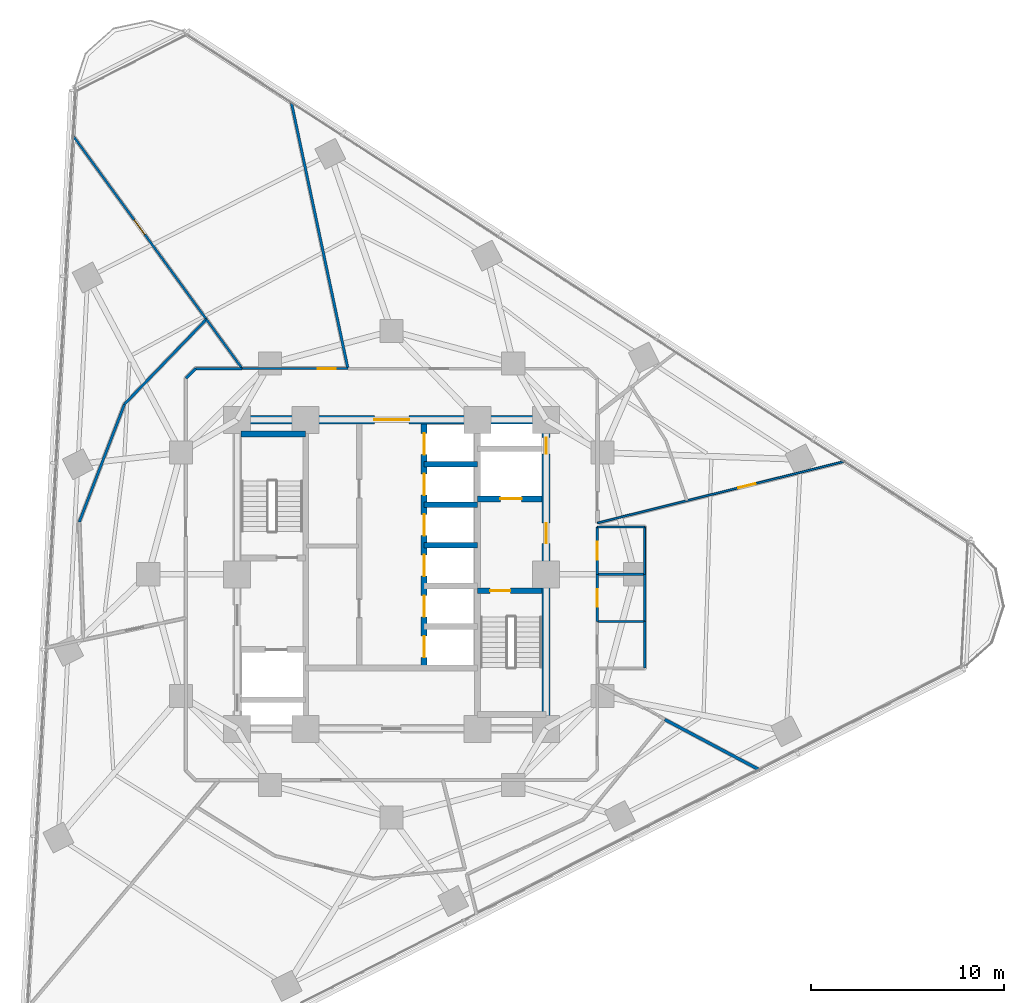
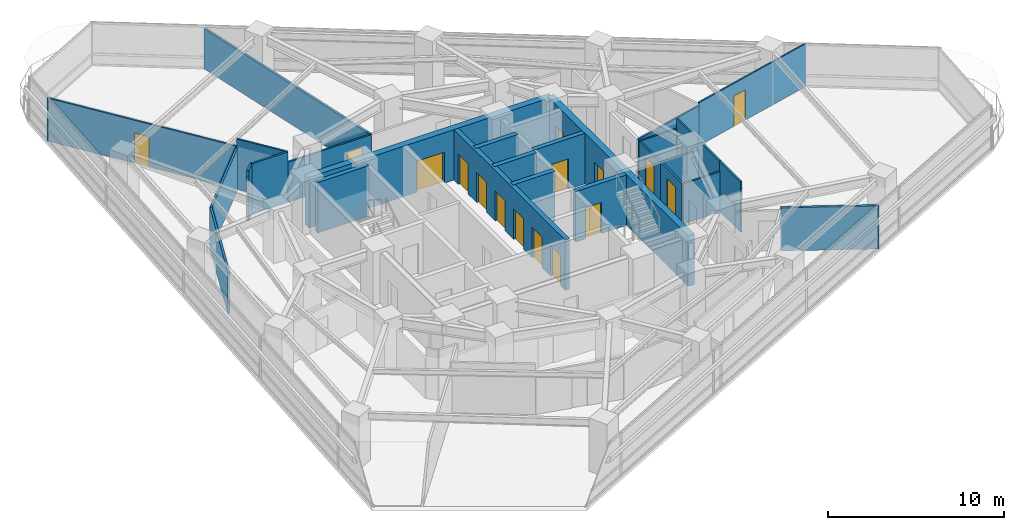
# One storey, part 9 of 14: 28 walls, 16 doors, 16 openings.
"""IFC4 building model written with IfcOpenShell, lengths in metres."""

from ifc_helpers import new_model, si_unit, direction, frame, frame_2d, origin, place, context, subcontext, project, spatial, rectangle, extrude, material, layer, layer_set, type_object, element, fill, save


model = new_model("IFC4")

# Units and contexts
model_context = context("Model", 3, precision=1e-05, world=origin(), true_north=direction((0.0, 1.0)))
body_context = subcontext(model_context, "Body", "Model", "MODEL_VIEW")
ifc_project = project(units=[si_unit("LENGTHUNIT", "METRE"), si_unit("AREAUNIT", "SQUARE_METRE"), si_unit("VOLUMEUNIT", "CUBIC_METRE"), si_unit("PLANEANGLEUNIT", "RADIAN"), si_unit("MASSUNIT", "GRAM", prefix="KILO")], contexts=[model_context])

# Site, building, storey
site_placement = place(None, origin())
site = spatial("IfcSite", under=ifc_project, at=site_placement, CompositionType="ELEMENT")
building_placement = place(site_placement, origin())
building = spatial("IfcBuilding", under=site, at=building_placement, Name="Terralouvre Media Tower", CompositionType="ELEMENT")
storey_placement = place(building_placement, frame((0.0, 0.0, 123.60009765625)))
storey = spatial("IfcBuildingStorey", under=building, at=storey_placement, Name="L31", CompositionType="ELEMENT", Elevation=123.60009765625)

# Wall
ifc_material_1 = material(Name="Concrete C50/60", Category="concrete")
ifc_layer_1 = layer(ifc_material_1, 0.300048828125, Name="Core Internal Shaft Wall CW-300")
ifc_layer_set_1 = layer_set([ifc_layer_1], Name="Concrete C50/60")
wall_type_1 = type_object("IfcWallType", Name="Core Internal Shaft Wall CW-300", PredefinedType="SHEAR", material=ifc_layer_set_1)
wall_1_placement = place(storey_placement, frame((-7.7900390625, 7.260009765625, 0.0), z_axis=(0.0, 0.0, 1.0), x_axis=(1.0, 0.0, 0.0)))
element("IfcWall", 1, at=wall_1_placement, inside=storey, type_object=wall_type_1, Name="L31 Core Shaft Wall ST1F", PredefinedType="SHEAR", context=body_context, shape_type="SweptSolid", body=[
    extrude(rectangle(XDim=3.340087890625, YDim=0.300048828125, at=frame_2d((1.669921875, 0.0))), origin(), (0.0, 0.0, 1.0), 3.5),
])

# Wall, opening, door
wall_2_placement = place(storey_placement, frame((4.449951171875, -0.85009765625, 0.0), z_axis=(0.0, 0.0, 1.0), x_axis=(1.0, 0.0, 0.0)))
wall_2 = element("IfcWall", 2, at=wall_2_placement, inside=storey, type_object=wall_type_1, Name="L31 Core Shaft Wall ST2D", PredefinedType="SHEAR", context=body_context, shape_type="SweptSolid", body=[
    extrude(rectangle(XDim=3.340087890625, YDim=0.300048828125, at=frame_2d((1.669921875, 0.0))), origin(), (0.0, 0.0, 1.0), 3.5),
])
opening_1_placement = place(wall_2_placement, frame((0.64990234375, 0.0, 0.0)))
opening_1 = element("IfcOpeningElement", 3, at=opening_1_placement, cuts=wall_2, Name="Opening FD-01-105X215", PredefinedType="OPENING", context=body_context, shape_type="SweptSolid", body=[
    extrude(rectangle(XDim=1.050048828125, YDim=2.14990234375, at=frame_2d((0.52490234375, 1.074951171875))), frame((0.0, 0.159912109375, 0.0), z_axis=(0.0, -1.0, 0.0), x_axis=(1.0, 0.0, 0.0)), (0.0, 0.0, 1.0), 0.320068359375),
])
ifc_material_2 = material(Name="Galvanised steel fire-resisting leaf", Category="steel")
door_type_1 = type_object("IfcDoorType", Name="Stair and Firefighting Lobby Fire Door FD-01 (1050x2150)", OperationType="NOTDEFINED", PredefinedType="DOOR", material=ifc_material_2)
door_1_placement = place(opening_1_placement, origin())
door_1 = element("IfcDoor", 4, at=door_1_placement, inside=storey, type_object=door_type_1, Name="L31 ST-02 Exit Stair Door", OperationType="SINGLE_SWING_RIGHT", OverallHeight=2.14990234375, OverallWidth=1.050048828125, PredefinedType="DOOR", context=body_context, shape_type="SweptSolid", body=[
    extrude(rectangle(XDim=1.050048828125, YDim=2.14990234375, at=frame_2d((0.52490234375, 1.074951171875))), frame((0.0, 0.02490234375, 0.0), z_axis=(0.0, -1.0, 0.0), x_axis=(1.0, 0.0, 0.0)), (0.0, 0.0, 1.0), 0.050048828125),
])
fill(opening_1, door_1)

wall_3_placement = place(storey_placement, frame((4.449951171875, 3.89990234375, 0.0), z_axis=(0.0, 0.0, 1.0), x_axis=(1.0, 0.0, 0.0)))
wall_3 = element("IfcWall", 5, at=wall_3_placement, inside=storey, type_object=wall_type_1, Name="L31 Core Shaft Wall FF2S", PredefinedType="SHEAR", context=body_context, shape_type="SweptSolid", body=[
    extrude(rectangle(XDim=3.340087890625, YDim=0.300048828125, at=frame_2d((1.669921875, 0.0))), origin(), (0.0, 0.0, 1.0), 3.5),
])
opening_2_placement = place(wall_3_placement, frame((1.179931640625, 0.0, 0.0)))
opening_2 = element("IfcOpeningElement", 6, at=opening_2_placement, cuts=wall_3, Name="Opening LD-FF", PredefinedType="OPENING", context=body_context, shape_type="SweptSolid", body=[
    extrude(rectangle(XDim=1.10009765625, YDim=2.10009765625, at=frame_2d((0.550048828125, 1.050048828125))), frame((0.0, 0.159912109375, 0.0), z_axis=(0.0, -1.0, 0.0), x_axis=(1.0, 0.0, 0.0)), (0.0, 0.0, 1.0), 0.320068359375),
])
ifc_material_3 = material(Name="Stainless steel 316 handrail and balustrade", Category="steel")
door_type_2 = type_object("IfcDoorType", Name="Firefighting Lift Sliding Landing Door LD-FF", OperationType="SLIDING_TO_LEFT", PredefinedType="DOOR", material=ifc_material_3)
door_2_placement = place(opening_2_placement, origin())
door_2 = element("IfcDoor", 7, at=door_2_placement, inside=storey, type_object=door_type_2, Name="L31 Firefighting Lift FFL-02 Landing Door", OperationType="SLIDING_TO_LEFT", OverallHeight=2.10009765625, OverallWidth=1.10009765625, PredefinedType="DOOR", context=body_context, shape_type="SweptSolid", body=[
    extrude(rectangle(XDim=1.10009765625, YDim=2.10009765625, at=frame_2d((0.550048828125, 1.050048828125))), frame((0.0, 0.02490234375, 0.0), z_axis=(0.0, -1.0, 0.0), x_axis=(1.0, 0.0, 0.0)), (0.0, 0.0, 1.0), 0.050048828125),
])
fill(opening_2, door_2)

# Wall, openings, doors
wall_4_placement = place(storey_placement, frame((1.679931640625, -4.85009765625, 0.0), z_axis=(0.0, 0.0, 1.0), x_axis=(0.0, 1.0, 0.0)))
wall_4 = element("IfcWall", 8, at=wall_4_placement, inside=storey, type_object=wall_type_1, Name="L31 Core Shaft Wall LBE", PredefinedType="SHEAR", context=body_context, shape_type="SweptSolid", body=[
    extrude(rectangle(XDim=12.64013671875, YDim=0.300048828125, at=frame_2d((6.320068359375, 0.0))), origin(), (0.0, 0.0, 1.0), 3.5),
])
opening_3_placement = place(wall_4_placement, frame((0.550048828125, 0.0, 0.0)))
opening_3 = element("IfcOpeningElement", 9, at=opening_3_placement, cuts=wall_4, Name="Opening LD-PL", PredefinedType="OPENING", context=body_context, shape_type="SweptSolid", body=[
    extrude(rectangle(XDim=1.10009765625, YDim=2.10009765625, at=frame_2d((0.550048828125, 1.050048828125))), frame((0.0, 0.159912109375, 0.0), z_axis=(0.0, -1.0, 0.0), x_axis=(1.0, 0.0, 0.0)), (0.0, 0.0, 1.0), 0.320068359375),
])
opening_4_placement = place(wall_4_placement, frame((2.64990234375, 0.0, 0.0)))
opening_4 = element("IfcOpeningElement", 10, at=opening_4_placement, cuts=wall_4, Name="Opening LD-PL", PredefinedType="OPENING", context=body_context, shape_type="SweptSolid", body=[
    extrude(rectangle(XDim=1.10009765625, YDim=2.10009765625, at=frame_2d((0.550048828125, 1.050048828125))), frame((0.0, 0.159912109375, 0.0), z_axis=(0.0, -1.0, 0.0), x_axis=(1.0, 0.0, 0.0)), (0.0, 0.0, 1.0), 0.320068359375),
])
opening_5_placement = place(wall_4_placement, frame((4.75, 0.0, 0.0)))
opening_5 = element("IfcOpeningElement", 11, at=opening_5_placement, cuts=wall_4, Name="Opening LD-PL", PredefinedType="OPENING", context=body_context, shape_type="SweptSolid", body=[
    extrude(rectangle(XDim=1.10009765625, YDim=2.10009765625, at=frame_2d((0.550048828125, 1.050048828125))), frame((0.0, 0.159912109375, 0.0), z_axis=(0.0, -1.0, 0.0), x_axis=(1.0, 0.0, 0.0)), (0.0, 0.0, 1.0), 0.320068359375),
])
opening_6_placement = place(wall_4_placement, frame((6.85009765625, 0.0, 0.0)))
opening_6 = element("IfcOpeningElement", 12, at=opening_6_placement, cuts=wall_4, Name="Opening LD-PL", PredefinedType="OPENING", context=body_context, shape_type="SweptSolid", body=[
    extrude(rectangle(XDim=1.10009765625, YDim=2.10009765625, at=frame_2d((0.550048828125, 1.050048828125))), frame((0.0, 0.159912109375, 0.0), z_axis=(0.0, -1.0, 0.0), x_axis=(1.0, 0.0, 0.0)), (0.0, 0.0, 1.0), 0.320068359375),
])
opening_7_placement = place(wall_4_placement, frame((8.949951171875, 0.0, 0.0)))
opening_7 = element("IfcOpeningElement", 13, at=opening_7_placement, cuts=wall_4, Name="Opening LD-PL", PredefinedType="OPENING", context=body_context, shape_type="SweptSolid", body=[
    extrude(rectangle(XDim=1.10009765625, YDim=2.10009765625, at=frame_2d((0.550048828125, 1.050048828125))), frame((0.0, 0.159912109375, 0.0), z_axis=(0.0, -1.0, 0.0), x_axis=(1.0, 0.0, 0.0)), (0.0, 0.0, 1.0), 0.320068359375),
])
opening_8_placement = place(wall_4_placement, frame((11.050048828125, 0.0, 0.0)))
opening_8 = element("IfcOpeningElement", 14, at=opening_8_placement, cuts=wall_4, Name="Opening LD-PL", PredefinedType="OPENING", context=body_context, shape_type="SweptSolid", body=[
    extrude(rectangle(XDim=1.10009765625, YDim=2.10009765625, at=frame_2d((0.550048828125, 1.050048828125))), frame((0.0, 0.159912109375, 0.0), z_axis=(0.0, -1.0, 0.0), x_axis=(1.0, 0.0, 0.0)), (0.0, 0.0, 1.0), 0.320068359375),
])
ifc_material_4 = material(Name="Stainless steel 316 handrail and balustrade", Category="steel")
door_type_3 = type_object("IfcDoorType", Name="Passenger Lift Sliding Landing Door LD-PL", OperationType="SLIDING_TO_LEFT", PredefinedType="DOOR", material=ifc_material_4)
door_3_placement = place(opening_3_placement, origin())
door_3 = element("IfcDoor", 15, at=door_3_placement, inside=storey, type_object=door_type_3, Name="L31 High-Rise Lift PL-H1 Landing Door", OperationType="SLIDING_TO_LEFT", OverallHeight=2.10009765625, OverallWidth=1.10009765625, PredefinedType="DOOR", context=body_context, shape_type="SweptSolid", body=[
    extrude(rectangle(XDim=1.10009765625, YDim=2.10009765625, at=frame_2d((0.550048828125, 1.050048828125))), frame((0.0, 0.02490234375, 0.0), z_axis=(0.0, -1.0, 0.0), x_axis=(1.0, 0.0, 0.0)), (0.0, 0.0, 1.0), 0.050048828125),
])
fill(opening_3, door_3)
door_4_placement = place(opening_4_placement, origin())
door_4 = element("IfcDoor", 16, at=door_4_placement, inside=storey, type_object=door_type_3, Name="L31 High-Rise Lift PL-H2 Landing Door", OperationType="SLIDING_TO_LEFT", OverallHeight=2.10009765625, OverallWidth=1.10009765625, PredefinedType="DOOR", context=body_context, shape_type="SweptSolid", body=[
    extrude(rectangle(XDim=1.10009765625, YDim=2.10009765625, at=frame_2d((0.550048828125, 1.050048828125))), frame((0.0, 0.02490234375, 0.0), z_axis=(0.0, -1.0, 0.0), x_axis=(1.0, 0.0, 0.0)), (0.0, 0.0, 1.0), 0.050048828125),
])
fill(opening_4, door_4)
door_5_placement = place(opening_5_placement, origin())
door_5 = element("IfcDoor", 17, at=door_5_placement, inside=storey, type_object=door_type_3, Name="L31 High-Rise Lift PL-H3 Landing Door", OperationType="SLIDING_TO_LEFT", OverallHeight=2.10009765625, OverallWidth=1.10009765625, PredefinedType="DOOR", context=body_context, shape_type="SweptSolid", body=[
    extrude(rectangle(XDim=1.10009765625, YDim=2.10009765625, at=frame_2d((0.550048828125, 1.050048828125))), frame((0.0, 0.02490234375, 0.0), z_axis=(0.0, -1.0, 0.0), x_axis=(1.0, 0.0, 0.0)), (0.0, 0.0, 1.0), 0.050048828125),
])
fill(opening_5, door_5)
door_6_placement = place(opening_6_placement, origin())
door_6 = element("IfcDoor", 18, at=door_6_placement, inside=storey, type_object=door_type_3, Name="L31 Mid-Rise Lift PL-M1 Landing Door", OperationType="SLIDING_TO_LEFT", OverallHeight=2.10009765625, OverallWidth=1.10009765625, PredefinedType="DOOR", context=body_context, shape_type="SweptSolid", body=[
    extrude(rectangle(XDim=1.10009765625, YDim=2.10009765625, at=frame_2d((0.550048828125, 1.050048828125))), frame((0.0, 0.02490234375, 0.0), z_axis=(0.0, -1.0, 0.0), x_axis=(1.0, 0.0, 0.0)), (0.0, 0.0, 1.0), 0.050048828125),
])
fill(opening_6, door_6)
door_7_placement = place(opening_7_placement, origin())
door_7 = element("IfcDoor", 19, at=door_7_placement, inside=storey, type_object=door_type_3, Name="L31 Mid-Rise Lift PL-M2 Landing Door", OperationType="SLIDING_TO_LEFT", OverallHeight=2.10009765625, OverallWidth=1.10009765625, PredefinedType="DOOR", context=body_context, shape_type="SweptSolid", body=[
    extrude(rectangle(XDim=1.10009765625, YDim=2.10009765625, at=frame_2d((0.550048828125, 1.050048828125))), frame((0.0, 0.02490234375, 0.0), z_axis=(0.0, -1.0, 0.0), x_axis=(1.0, 0.0, 0.0)), (0.0, 0.0, 1.0), 0.050048828125),
])
fill(opening_7, door_7)
door_8_placement = place(opening_8_placement, origin())
door_8 = element("IfcDoor", 20, at=door_8_placement, inside=storey, type_object=door_type_3, Name="L31 Mid-Rise Lift PL-M3 Landing Door", OperationType="SLIDING_TO_LEFT", OverallHeight=2.10009765625, OverallWidth=1.10009765625, PredefinedType="DOOR", context=body_context, shape_type="SweptSolid", body=[
    extrude(rectangle(XDim=1.10009765625, YDim=2.10009765625, at=frame_2d((0.550048828125, 1.050048828125))), frame((0.0, 0.02490234375, 0.0), z_axis=(0.0, -1.0, 0.0), x_axis=(1.0, 0.0, 0.0)), (0.0, 0.0, 1.0), 0.050048828125),
])
fill(opening_8, door_8)

# Walls
for number, where, z_axis, x_axis, name in (
    (21, (1.679931640625, 1.5, 0.0), (0.0, 0.0, 1.0), (1.0, 0.0, 0.0), "L31 Core Shaft Wall PLMD0"),
    (22, (1.679931640625, 3.60009765625, 0.0), (0.0, 0.0, 1.0), (1.0, 0.0, 0.0), "L31 Core Shaft Wall PLMD1"),
    (23, (1.679931640625, 5.699951171875, 0.0), (0.0, 0.0, 1.0), (1.0, 0.0, 0.0), "L31 Core Shaft Wall PLMD2"),
):
    element("IfcWall", number, at=place(storey_placement, frame(where, z_axis=z_axis, x_axis=x_axis)), inside=storey, type_object=wall_type_1, Name=name, PredefinedType="SHEAR", context=body_context, shape_type="SweptSolid", body=[
        extrude(rectangle(XDim=2.77001953125, YDim=0.300048828125, at=frame_2d((1.385009765625, 0.0))), origin(), (0.0, 0.0, 1.0), 3.5),
    ])

# Wall, openings, doors
ifc_material_5 = material(Name="Concrete C60/75", Category="concrete")
ifc_layer_2 = layer(ifc_material_5, 0.419921875, Name="Core Reinforced Concrete Shear Wall CW-420")
ifc_layer_set_2 = layer_set([ifc_layer_2], Name="Concrete C60/75")
wall_type_2 = type_object("IfcWallType", Name="Core Reinforced Concrete Shear Wall CW-420", PredefinedType="SHEAR", material=ifc_layer_set_2)
wall_5_placement = place(storey_placement, frame((8.0, -8.0, 0.0), z_axis=(0.0, 0.0, 1.0), x_axis=(0.0, 1.0, 0.0)))
wall_5 = element("IfcWall", 24, at=wall_5_placement, inside=storey, type_object=wall_type_2, Name="L31 E Core Shear Wall", PredefinedType="SHEAR", context=body_context, shape_type="SweptSolid", body=[
    extrude(rectangle(XDim=16.0, YDim=0.419921875, at=frame_2d((8.0, 0.0))), origin(), (0.0, 0.0, 1.0), 3.5),
])
opening_9_placement = place(wall_5_placement, frame((9.60009765625, 0.0, 0.0)))
opening_9 = element("IfcOpeningElement", 25, at=opening_9_placement, cuts=wall_5, Name="Opening FD-01-105X215", PredefinedType="OPENING", context=body_context, shape_type="SweptSolid", body=[
    extrude(rectangle(XDim=1.050048828125, YDim=2.14990234375, at=frame_2d((0.52490234375, 1.074951171875))), frame((0.0, 0.219970703125, 0.0), z_axis=(0.0, -1.0, 0.0), x_axis=(1.0, 0.0, 0.0)), (0.0, 0.0, 1.0), 0.43994140625),
])
opening_10_placement = place(wall_5_placement, frame((14.228515625, 0.0, 0.0)))
opening_10 = element("IfcOpeningElement", 26, at=opening_10_placement, cuts=wall_5, Name="Opening TD-R1", PredefinedType="OPENING", context=body_context, shape_type="SweptSolid", body=[
    extrude(rectangle(XDim=0.85009765625, YDim=2.02001953125, at=frame_2d((0.425048828125, 1.010009765625))), frame((0.0, 0.219970703125, 0.0), z_axis=(0.0, -1.0, 0.0), x_axis=(1.0, 0.0, 0.0)), (0.0, 0.0, 1.0), 0.43994140625),
])
ifc_material_6 = material(Name="Galvanised steel fire-resisting leaf", Category="steel")
door_type_4 = type_object("IfcDoorType", Name="Riser Inspection Access Trapdoor TD-R1", OperationType="NOTDEFINED", PredefinedType="TRAPDOOR", material=ifc_material_6)
door_9_placement = place(opening_10_placement, origin())
door_9 = element("IfcDoor", 27, at=door_9_placement, inside=storey, type_object=door_type_4, Name="L31 East Comms Riser Access Trapdoor", OperationType="SINGLE_SWING_RIGHT", OverallHeight=2.02001953125, OverallWidth=0.85009765625, PredefinedType="TRAPDOOR", context=body_context, shape_type="SweptSolid", body=[
    extrude(rectangle(XDim=0.85009765625, YDim=2.02001953125, at=frame_2d((0.425048828125, 1.010009765625))), frame((0.0, 0.02490234375, 0.0), z_axis=(0.0, -1.0, 0.0), x_axis=(1.0, 0.0, 0.0)), (0.0, 0.0, 1.0), 0.050048828125),
])
fill(opening_10, door_9)
door_10_placement = place(opening_9_placement, origin())
door_10 = element("IfcDoor", 28, at=door_10_placement, inside=storey, type_object=door_type_1, Name="L31 East Firefighting Lobby Entry Door", OperationType="SINGLE_SWING_LEFT", OverallHeight=2.14990234375, OverallWidth=1.050048828125, PredefinedType="DOOR", context=body_context, shape_type="SweptSolid", body=[
    extrude(rectangle(XDim=1.050048828125, YDim=2.14990234375, at=frame_2d((0.52490234375, 1.074951171875))), frame((0.0, 0.02490234375, 0.0), z_axis=(0.0, -1.0, 0.0), x_axis=(1.0, 0.0, 0.0)), (0.0, 0.0, 1.0), 0.050048828125),
])
fill(opening_9, door_10)

# Wall, opening, door
wall_6_placement = place(storey_placement, frame((-8.0, 8.0, 0.0), z_axis=(0.0, 0.0, 1.0), x_axis=(1.0, 0.0, 0.0)))
wall_6 = element("IfcWall", 29, at=wall_6_placement, inside=storey, type_object=wall_type_2, Name="L31 N Core Shear Wall", PredefinedType="SHEAR", context=body_context, shape_type="SweptSolid", body=[
    extrude(rectangle(XDim=16.0, YDim=0.419921875, at=frame_2d((8.0, 0.0))), origin(), (0.0, 0.0, 1.0), 3.5),
])
opening_11_placement = place(wall_6_placement, frame((7.10009765625, 0.0, 0.0)))
opening_11 = element("IfcOpeningElement", 30, at=opening_11_placement, cuts=wall_6, Name="Opening FD-03", PredefinedType="OPENING", context=body_context, shape_type="SweptSolid", body=[
    extrude(rectangle(XDim=1.800048828125, YDim=2.14990234375, at=frame_2d((0.89990234375, 1.074951171875))), frame((0.0, 0.219970703125, 0.0), z_axis=(0.0, -1.0, 0.0), x_axis=(1.0, 0.0, 0.0)), (0.0, 0.0, 1.0), 0.43994140625),
])
ifc_material_7 = material(Name="Galvanised steel fire-resisting leaf", Category="steel")
door_type_5 = type_object("IfcDoorType", Name="Corridor Smoke-Control Double Door FD-03", OperationType="DOUBLE_DOOR_SINGLE_SWING", PredefinedType="DOOR", material=ifc_material_7)
door_11_placement = place(opening_11_placement, origin())
door_11 = element("IfcDoor", 31, at=door_11_placement, inside=storey, type_object=door_type_5, Name="L31 Central Lift Lobby Portal Door", OperationType="DOUBLE_DOOR_SINGLE_SWING", OverallHeight=2.14990234375, OverallWidth=1.800048828125, PredefinedType="DOOR", context=body_context, shape_type="SweptSolid", body=[
    extrude(rectangle(XDim=1.800048828125, YDim=2.14990234375, at=frame_2d((0.89990234375, 1.074951171875))), frame((0.0, 0.02490234375, 0.0), z_axis=(0.0, -1.0, 0.0), x_axis=(1.0, 0.0, 0.0)), (0.0, 0.0, 1.0), 0.050048828125),
])
fill(opening_11, door_11)

# Walls
ifc_material_8 = material(Name="Low-iron laminated double glazing with solar-control coating", Category="glass")
ifc_layer_3 = layer(ifc_material_8, 0.10009765625, Name="Demountable Glazed Office Partition PT-GL100")
ifc_layer_set_3 = layer_set([ifc_layer_3], Name="Low-iron laminated double glazing with solar-control coating")
wall_type_3 = type_object("IfcWallType", Name="Demountable Glazed Office Partition PT-GL100", PredefinedType="MOVABLE", material=ifc_layer_set_3)
wall_7_placement = place(storey_placement, frame((10.64990234375, 2.449951171875, 0.0), z_axis=(0.0, 0.0, 1.0), x_axis=(1.0, 0.0, 0.0)))
element("IfcWall", 32, at=wall_7_placement, inside=storey, type_object=wall_type_3, Name="L31 Interior Partition 038", PredefinedType="MOVABLE", context=body_context, shape_type="SweptSolid", body=[
    extrude(rectangle(XDim=2.4501953125, YDim=0.10009765625, at=frame_2d((1.22509765625, 0.0))), origin(), (0.0, 0.0, 1.0), 2.784912109375),
])
wall_8_placement = place(storey_placement, frame((13.10009765625, 2.449951171875, 0.0), z_axis=(0.0, 0.0, 1.0), x_axis=(0.0, -1.0, 0.0)))
element("IfcWall", 33, at=wall_8_placement, inside=storey, type_object=wall_type_3, Name="L31 Interior Partition 039", PredefinedType="MOVABLE", context=body_context, shape_type="SweptSolid", body=[
    extrude(rectangle(XDim=2.449951171875, YDim=0.10009765625, at=frame_2d((1.22509765625, 0.0))), origin(), (0.0, 0.0, 1.0), 3.5),
])

# Wall, opening, door
wall_9_placement = place(storey_placement, frame((23.471923828125, 5.852294921875, 0.0), z_axis=(0.0, 0.0, 1.0), x_axis=(-0.970293868859, -0.24192934517, 0.0)))
wall_9 = element("IfcWall", 34, at=wall_9_placement, inside=storey, type_object=wall_type_3, Name="L31 Interior Partition 040", PredefinedType="MOVABLE", context=body_context, shape_type="SweptSolid", body=[
    extrude(rectangle(XDim=8.433349609375, YDim=0.10009765625, at=frame_2d((4.216796875, 0.0))), origin(), (0.0, 0.0, 1.0), 2.98486328125),
])
opening_12_placement = place(wall_9_placement, frame((4.768798828125, 0.0, 0.0)))
opening_12 = element("IfcOpeningElement", 35, at=opening_12_placement, cuts=wall_9, Name="Opening ID-03-92X210", PredefinedType="OPENING", context=body_context, shape_type="SweptSolid", body=[
    extrude(rectangle(XDim=0.919921875, YDim=2.10009765625, at=frame_2d((0.4599609375, 1.050048828125))), frame((0.0, 0.06005859375, 0.0), z_axis=(0.0, -1.0, 0.0), x_axis=(1.0, 0.0, 0.0)), (0.0, 0.0, 1.0), 0.1201171875),
])
ifc_material_9 = material(Name="Engineered hardwood acoustic timber leaf", Category="wood")
door_type_6 = type_object("IfcDoorType", Name="Accessible Restroom and Suite Door ID-03 (920x2100)", OperationType="NOTDEFINED", PredefinedType="DOOR", material=ifc_material_9)
door_12_placement = place(opening_12_placement, origin())
door_12 = element("IfcDoor", 36, at=door_12_placement, inside=storey, type_object=door_type_6, Name="L31 Presenter Makeup and Wardrobe Closet 7 Door", OperationType="SINGLE_SWING_RIGHT", OverallHeight=2.10009765625, OverallWidth=0.919921875, PredefinedType="DOOR", context=body_context, shape_type="SweptSolid", body=[
    extrude(rectangle(XDim=0.919921875, YDim=2.10009765625, at=frame_2d((0.4599609375, 1.050048828125))), frame((0.0, 0.02490234375, 0.0), z_axis=(0.0, -1.0, 0.0), x_axis=(1.0, 0.0, 0.0)), (0.0, 0.0, 1.0), 0.050048828125),
])
fill(opening_12, door_12)

# Walls
wall_10_placement = place(storey_placement, frame((15.2890625, 3.81201171875, 0.0), z_axis=(0.0, 0.0, 1.0), x_axis=(-0.970280510542, -0.241982914402, 0.0)))
element("IfcWall", 37, at=wall_10_placement, inside=storey, type_object=wall_type_3, Name="L31 Interior Partition 041", PredefinedType="MOVABLE", context=body_context, shape_type="SweptSolid", body=[
    extrude(rectangle(XDim=4.78125, YDim=0.10009765625, at=frame_2d((2.390625, 0.0))), origin(), (0.0, 0.0, 1.0), 2.784912109375),
])
ifc_material_10 = material(Name="Fire-rated gypsum board drywall partition")
ifc_layer_4 = layer(ifc_material_10, 0.135009765625, Name="Newsroom Acoustic Partition PT-135")
ifc_layer_set_4 = layer_set([ifc_layer_4], Name="Fire-rated gypsum board drywall partition")
wall_type_4 = type_object("IfcWallType", Name="Newsroom Acoustic Partition PT-135", PredefinedType="PARTITIONING", material=ifc_layer_set_4)
wall_11_placement = place(storey_placement, frame((-7.738037109375, 10.64990234375, 0.0), z_axis=(0.0, 0.0, 1.0), x_axis=(-1.0, 0.0, 0.0)))
element("IfcWall", 38, at=wall_11_placement, inside=storey, type_object=wall_type_4, Name="L31 Interior Partition 017", PredefinedType="PARTITIONING", context=body_context, shape_type="SweptSolid", body=[
    extrude(rectangle(XDim=2.411865234375, YDim=0.135009765625, at=frame_2d((1.2060546875, 0.0))), origin(), (0.0, 0.0, 1.0), 3.5),
])
wall_12_placement = place(storey_placement, frame((-10.14990234375, 10.64990234375, 0.0), z_axis=(0.0, 0.0, 1.0), x_axis=(-0.707106781187, -0.707106781187, 0.0)))
element("IfcWall", 39, at=wall_12_placement, inside=storey, type_object=wall_type_4, Name="L31 Interior Partition 018", PredefinedType="PARTITIONING", context=body_context, shape_type="SweptSolid", body=[
    extrude(rectangle(XDim=0.70703125, YDim=0.135009765625, at=frame_2d((0.353515625, 0.0))), origin(), (0.0, 0.0, 1.0), 3.5),
])
wall_13_placement = place(storey_placement, frame((-5.20166015625, 24.47314453125, 0.0), z_axis=(0.0, 0.0, 1.0), x_axis=(0.207879417489, -0.978154460085, 0.0)))
element("IfcWall", 40, at=wall_13_placement, inside=storey, type_object=wall_type_4, Name="L31 Interior Partition 046", PredefinedType="PARTITIONING", context=body_context, shape_type="SweptSolid", body=[
    extrude(rectangle(XDim=14.132080078125, YDim=0.135009765625, at=frame_2d((7.06591796875, 0.0))), origin(), (0.0, 0.0, 1.0), 2.784912109375),
])
wall_14_placement = place(storey_placement, frame((-16.175048828125, 2.70703125, 0.0), z_axis=(0.0, 0.0, 1.0), x_axis=(0.358305989998, 0.93360420818, 0.0)))
element("IfcWall", 41, at=wall_14_placement, inside=storey, type_object=wall_type_4, Name="L31 Interior Partition 050", PredefinedType="PARTITIONING", context=body_context, shape_type="SweptSolid", body=[
    extrude(rectangle(XDim=6.5390625, YDim=0.135009765625, at=frame_2d((3.26953125, 0.0))), origin(), (0.0, 0.0, 1.0), 2.885009765625),
])
wall_15_placement = place(storey_placement, frame((-13.83203125, 8.81201171875, 0.0), z_axis=(0.0, 0.0, 1.0), x_axis=(0.694719433394, 0.719280827538, 0.0)))
element("IfcWall", 42, at=wall_15_placement, inside=storey, type_object=wall_type_4, Name="L31 Interior Partition 051", PredefinedType="PARTITIONING", context=body_context, shape_type="SweptSolid", body=[
    extrude(rectangle(XDim=6.103271484375, YDim=0.135009765625, at=frame_2d((3.0517578125, 0.0))), origin(), (0.0, 0.0, 1.0), 2.885009765625),
])

# Wall, opening, door
ifc_material_11 = material(Name="Fire-rated gypsum board drywall partition")
ifc_layer_5 = layer(ifc_material_11, 0.114990234375, Name="Restroom and Pantry Partition PT-115")
ifc_layer_set_5 = layer_set([ifc_layer_5], Name="Fire-rated gypsum board drywall partition")
wall_type_5 = type_object("IfcWallType", Name="Restroom and Pantry Partition PT-115", PredefinedType="PARTITIONING", material=ifc_layer_set_5)
wall_16_placement = place(storey_placement, frame((10.64990234375, -2.449951171875, 0.0), z_axis=(0.0, 0.0, 1.0), x_axis=(0.0, 1.0, 0.0)))
wall_16 = element("IfcWall", 43, at=wall_16_placement, inside=storey, type_object=wall_type_5, Name="L31 Interior Partition 009", PredefinedType="PARTITIONING", context=body_context, shape_type="SweptSolid", body=[
    extrude(rectangle(XDim=2.449951171875, YDim=0.114990234375, at=frame_2d((1.22509765625, 0.0))), origin(), (0.0, 0.0, 1.0), 2.784912109375),
])
opening_13_placement = place(wall_16_placement, frame((0.764892578125, 0.0, 0.0)))
opening_13 = element("IfcOpeningElement", 44, at=opening_13_placement, cuts=wall_16, Name="Opening ID-03-92X210", PredefinedType="OPENING", context=body_context, shape_type="SweptSolid", body=[
    extrude(rectangle(XDim=0.919921875, YDim=2.10009765625, at=frame_2d((0.4599609375, 1.050048828125))), frame((0.0, 0.0673828125, 0.0), z_axis=(0.0, -1.0, 0.0), x_axis=(1.0, 0.0, 0.0)), (0.0, 0.0, 1.0), 0.135009765625),
])
door_13_placement = place(opening_13_placement, origin())
door_13 = element("IfcDoor", 45, at=door_13_placement, inside=storey, type_object=door_type_6, Name="L31 Female Restroom WC Door", OperationType="SINGLE_SWING_LEFT", OverallHeight=2.10009765625, OverallWidth=0.919921875, PredefinedType="DOOR", context=body_context, shape_type="SweptSolid", body=[
    extrude(rectangle(XDim=0.919921875, YDim=2.10009765625, at=frame_2d((0.4599609375, 1.050048828125))), frame((0.0, 0.02490234375, 0.0), z_axis=(0.0, -1.0, 0.0), x_axis=(1.0, 0.0, 0.0)), (0.0, 0.0, 1.0), 0.050048828125),
])
fill(opening_13, door_13)

wall_17_placement = place(storey_placement, frame((10.64990234375, 0.0, 0.0), z_axis=(0.0, 0.0, 1.0), x_axis=(0.0, 1.0, 0.0)))
wall_17 = element("IfcWall", 46, at=wall_17_placement, inside=storey, type_object=wall_type_5, Name="L31 Interior Partition 011", PredefinedType="PARTITIONING", context=body_context, shape_type="SweptSolid", body=[
    extrude(rectangle(XDim=2.449951171875, YDim=0.114990234375, at=frame_2d((1.22509765625, 0.0))), origin(), (0.0, 0.0, 1.0), 2.784912109375),
])
opening_14_placement = place(wall_17_placement, frame((0.764892578125, 0.0, 0.0)))
opening_14 = element("IfcOpeningElement", 47, at=opening_14_placement, cuts=wall_17, Name="Opening ID-03-92X210", PredefinedType="OPENING", context=body_context, shape_type="SweptSolid", body=[
    extrude(rectangle(XDim=0.919921875, YDim=2.10009765625, at=frame_2d((0.4599609375, 1.050048828125))), frame((0.0, 0.0673828125, 0.0), z_axis=(0.0, -1.0, 0.0), x_axis=(1.0, 0.0, 0.0)), (0.0, 0.0, 1.0), 0.135009765625),
])
door_14_placement = place(opening_14_placement, origin())
door_14 = element("IfcDoor", 48, at=door_14_placement, inside=storey, type_object=door_type_6, Name="L31 Accessible Unisex WC Door", OperationType="SINGLE_SWING_RIGHT", OverallHeight=2.10009765625, OverallWidth=0.919921875, PredefinedType="DOOR", context=body_context, shape_type="SweptSolid", body=[
    extrude(rectangle(XDim=0.919921875, YDim=2.10009765625, at=frame_2d((0.4599609375, 1.050048828125))), frame((0.0, 0.02490234375, 0.0), z_axis=(0.0, -1.0, 0.0), x_axis=(1.0, 0.0, 0.0)), (0.0, 0.0, 1.0), 0.050048828125),
])
fill(opening_14, door_14)

wall_18_placement = place(storey_placement, frame((-2.263916015625, 10.64990234375, 0.0), z_axis=(0.0, 0.0, 1.0), x_axis=(-1.0, 0.0, 0.0)))
wall_18 = element("IfcWall", 49, at=wall_18_placement, inside=storey, type_object=wall_type_5, Name="L31 Interior Partition 016", PredefinedType="PARTITIONING", context=body_context, shape_type="SweptSolid", body=[
    extrude(rectangle(XDim=5.47412109375, YDim=0.114990234375, at=frame_2d((2.737060546875, 0.0))), origin(), (0.0, 0.0, 1.0), 2.784912109375),
])
opening_15_placement = place(wall_18_placement, frame((0.619873046875, 0.0, 0.0)))
opening_15 = element("IfcOpeningElement", 50, at=opening_15_placement, cuts=wall_18, Name="Opening SD-01-95X210", PredefinedType="OPENING", context=body_context, shape_type="SweptSolid", body=[
    extrude(rectangle(XDim=0.949951171875, YDim=2.10009765625, at=frame_2d((0.47509765625, 1.050048828125))), frame((0.0, 0.0673828125, 0.0), z_axis=(0.0, -1.0, 0.0), x_axis=(1.0, 0.0, 0.0)), (0.0, 0.0, 1.0), 0.135009765625),
])
ifc_material_12 = material(Name="Anodised extruded aluminium 6063-T6", Category="aluminium")
door_type_7 = type_object("IfcDoorType", Name="Pantry Pocket Sliding Door SD-01 (950x2100)", OperationType="SLIDING_TO_LEFT", PredefinedType="DOOR", material=ifc_material_12)
door_15_placement = place(opening_15_placement, origin())
door_15 = element("IfcDoor", 51, at=door_15_placement, inside=storey, type_object=door_type_7, Name="L31 Match-Day Catering Pantry 10 Door", OperationType="SLIDING_TO_LEFT", OverallHeight=2.10009765625, OverallWidth=0.949951171875, PredefinedType="DOOR", context=body_context, shape_type="SweptSolid", body=[
    extrude(rectangle(XDim=0.949951171875, YDim=2.10009765625, at=frame_2d((0.47509765625, 1.050048828125))), frame((0.0, 0.02490234375, 0.0), z_axis=(0.0, -1.0, 0.0), x_axis=(1.0, 0.0, 0.0)), (0.0, 0.0, 1.0), 0.050048828125),
])
fill(opening_15, door_15)

# Walls
wall_19_placement = place(storey_placement, frame((13.10009765625, -2.449951171875, 0.0), z_axis=(0.0, 0.0, 1.0), x_axis=(-1.0, 0.0, 0.0)))
element("IfcWall", 52, at=wall_19_placement, inside=storey, type_object=wall_type_5, Name="L31 Interior Partition 033", PredefinedType="PARTITIONING", context=body_context, shape_type="SweptSolid", body=[
    extrude(rectangle(XDim=2.4501953125, YDim=0.114990234375, at=frame_2d((1.22509765625, 0.0))), origin(), (0.0, 0.0, 1.0), 2.784912109375),
])
wall_20_placement = place(storey_placement, frame((13.10009765625, -4.85009765625, 0.0), z_axis=(0.0, 0.0, 1.0), x_axis=(0.0, 1.0, 0.0)))
element("IfcWall", 53, at=wall_20_placement, inside=storey, type_object=wall_type_5, Name="L31 Interior Partition 035", PredefinedType="PARTITIONING", context=body_context, shape_type="SweptSolid", body=[
    extrude(rectangle(XDim=2.400146484375, YDim=0.114990234375, at=frame_2d((1.2001953125, 0.0))), origin(), (0.0, 0.0, 1.0), 3.5),
])
wall_21_placement = place(storey_placement, frame((13.10009765625, -2.449951171875, 0.0), z_axis=(0.0, 0.0, 1.0), x_axis=(0.0, 1.0, 0.0)))
element("IfcWall", 54, at=wall_21_placement, inside=storey, type_object=wall_type_5, Name="L31 Interior Partition 036", PredefinedType="PARTITIONING", context=body_context, shape_type="SweptSolid", body=[
    extrude(rectangle(XDim=2.449951171875, YDim=0.114990234375, at=frame_2d((1.22509765625, 0.0))), origin(), (0.0, 0.0, 1.0), 3.5),
])
wall_22_placement = place(storey_placement, frame((13.10009765625, 0.0, 0.0), z_axis=(0.0, 0.0, 1.0), x_axis=(-1.0, 0.0, 0.0)))
element("IfcWall", 55, at=wall_22_placement, inside=storey, type_object=wall_type_5, Name="L31 Interior Partition 037", PredefinedType="PARTITIONING", context=body_context, shape_type="SweptSolid", body=[
    extrude(rectangle(XDim=2.4501953125, YDim=0.114990234375, at=frame_2d((1.22509765625, 0.0))), origin(), (0.0, 0.0, 1.0), 2.784912109375),
])

# Wall, opening, door
wall_23_placement = place(storey_placement, frame((-16.524169921875, 22.7431640625, 0.0), z_axis=(0.0, 0.0, 1.0), x_axis=(0.587785136625, -0.809017078412, 0.0)))
wall_23 = element("IfcWall", 56, at=wall_23_placement, inside=storey, type_object=wall_type_5, Name="L31 Interior Partition 047", PredefinedType="PARTITIONING", context=body_context, shape_type="SweptSolid", body=[
    extrude(rectangle(XDim=11.793701171875, YDim=0.114990234375, at=frame_2d((5.89697265625, 0.0))), origin(), (0.0, 0.0, 1.0), 2.98486328125),
])
opening_16_placement = place(wall_23_placement, frame((5.436767578125, 0.0, 0.0)))
opening_16 = element("IfcOpeningElement", 57, at=opening_16_placement, cuts=wall_23, Name="Opening ID-03-92X210", PredefinedType="OPENING", context=body_context, shape_type="SweptSolid", body=[
    extrude(rectangle(XDim=0.919921875, YDim=2.10009765625, at=frame_2d((0.4599609375, 1.050048828125))), frame((0.0, 0.0673828125, 0.0), z_axis=(0.0, -1.0, 0.0), x_axis=(1.0, 0.0, 0.0)), (0.0, 0.0, 1.0), 0.135009765625),
])
door_16_placement = place(opening_16_placement, origin())
door_16 = element("IfcDoor", 58, at=door_16_placement, inside=storey, type_object=door_type_6, Name="L31 League Statistics Library 11 Door", OperationType="SINGLE_SWING_LEFT", OverallHeight=2.10009765625, OverallWidth=0.919921875, PredefinedType="DOOR", context=body_context, shape_type="SweptSolid", body=[
    extrude(rectangle(XDim=0.919921875, YDim=2.10009765625, at=frame_2d((0.4599609375, 1.050048828125))), frame((0.0, 0.02490234375, 0.0), z_axis=(0.0, -1.0, 0.0), x_axis=(1.0, 0.0, 0.0)), (0.0, 0.0, 1.0), 0.050048828125),
])
fill(opening_16, door_16)

# Walls
wall_24_placement = place(storey_placement, frame((-9.592041015625, 13.201904296875, 0.0), z_axis=(0.0, 0.0, 1.0), x_axis=(0.587757438745, -0.80903720137, 0.0)))
element("IfcWall", 59, at=wall_24_placement, inside=storey, type_object=wall_type_5, Name="L31 Interior Partition 048", PredefinedType="PARTITIONING", context=body_context, shape_type="SweptSolid", body=[
    extrude(rectangle(XDim=3.154296875, YDim=0.114990234375, at=frame_2d((1.5771484375, 0.0))), origin(), (0.0, 0.0, 1.0), 3.5),
])
ifc_material_13 = material(Name="Fire-rated gypsum board drywall partition")
ifc_layer_6 = layer(ifc_material_13, 0.159912109375, Name="Studio Acoustic Rated Partition PT-160")
ifc_layer_set_6 = layer_set([ifc_layer_6], Name="Fire-rated gypsum board drywall partition")
wall_type_6 = type_object("IfcWallType", Name="Studio Acoustic Rated Partition PT-160", PredefinedType="PARTITIONING", material=ifc_layer_set_6)
wall_25_placement = place(storey_placement, frame((19.069580078125, -10.1396484375, 0.0), z_axis=(0.0, 0.0, 1.0), x_axis=(-0.882959500857, 0.469449166413, 0.0)))
element("IfcWall", 60, at=wall_25_placement, inside=storey, type_object=wall_type_6, Name="L31 Interior Partition 032", PredefinedType="PARTITIONING", context=body_context, shape_type="SweptSolid", body=[
    extrude(rectangle(XDim=5.58642578125, YDim=0.159912109375, at=frame_2d((2.793212890625, 0.0))), origin(), (0.0, 0.0, 1.0), 2.98486328125),
])

save(model, "model.ifc")
